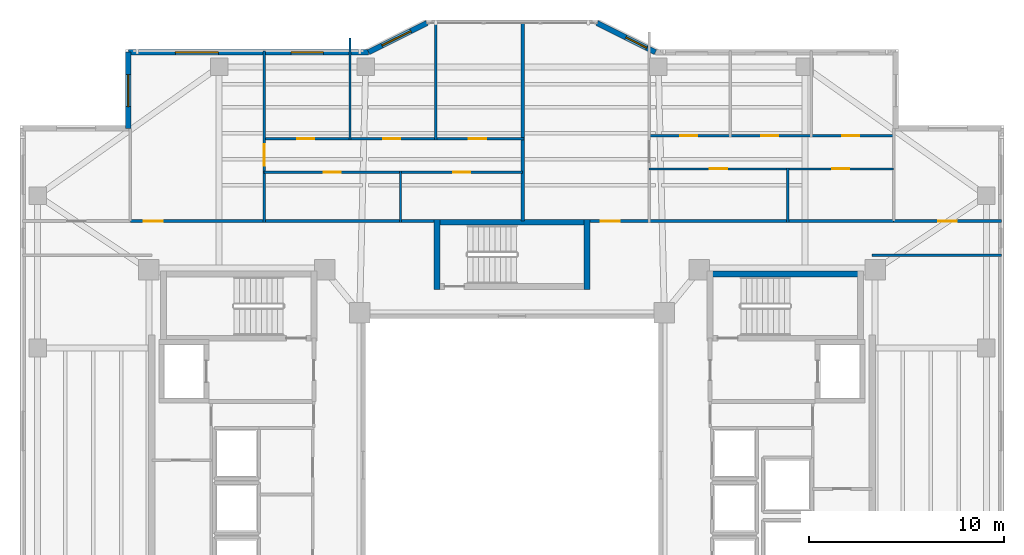
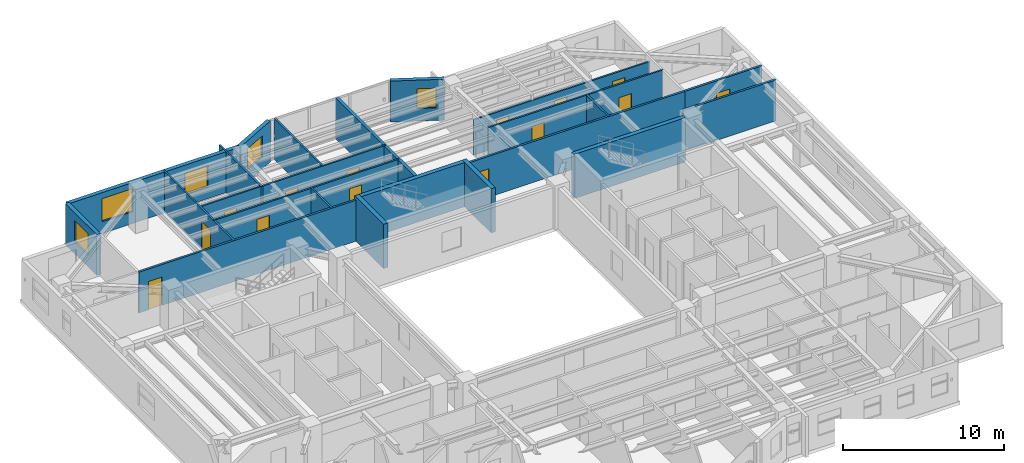
# One storey, part 10 of 16: 24 walls, 14 doors, 5 windows, 19 openings.
"""IFC4 building model written with IfcOpenShell, lengths in metres."""

from ifc_helpers import new_model, si_unit, direction, frame, frame_2d, origin, place, context, subcontext, project, spatial, rectangle, extrude, material, layer, layer_set, type_object, element, fill, save


model = new_model("IFC4")

# Units and contexts
model_context = context("Model", 3, precision=1e-05, world=origin(), true_north=direction((0.0, 1.0)))
body_context = subcontext(model_context, "Body", "Model", "MODEL_VIEW")
ifc_project = project(units=[si_unit("LENGTHUNIT", "METRE"), si_unit("AREAUNIT", "SQUARE_METRE"), si_unit("VOLUMEUNIT", "CUBIC_METRE"), si_unit("PLANEANGLEUNIT", "RADIAN"), si_unit("MASSUNIT", "GRAM", prefix="KILO")], contexts=[model_context])

# Site, building, storey
site_placement = place(None, origin())
site = spatial("IfcSite", under=ifc_project, at=site_placement, CompositionType="ELEMENT")
building_placement = place(site_placement, origin())
building = spatial("IfcBuilding", under=site, at=building_placement, Name="Tarnavaz Court Tower", CompositionType="ELEMENT")
storey_placement = place(building_placement, frame((0.0, 0.0, 146.0)))
storey = spatial("IfcBuildingStorey", under=building, at=storey_placement, Name="L39", CompositionType="ELEMENT", Elevation=146.0)

# Walls
ifc_material_1 = material(Name="Concrete C50/60", Category="concrete")
ifc_layer_1 = layer(ifc_material_1, 0.300048828125)
ifc_layer_set_1 = layer_set([ifc_layer_1], Name="Concrete C50/60")
wall_type_1 = type_object("IfcWallType", Name="WL-CORE-300-C50", PredefinedType="SHEAR", material=ifc_layer_set_1)
for number, where, z_axis, x_axis, name in (
    (1, (10.0, 9.7900390625, 0.0), (0.0, 0.0, 1.0), (1.0, 0.0, 0.0), "L39 East Stair Core Wall 005"),
    (2, (-4.0, 12.43994140625, 0.0), (0.0, 0.0, 1.0), (1.0, 0.0, 0.0), "L39 North Stair Core Wall 009"),
):
    element("IfcWall", number, at=place(storey_placement, frame(where, z_axis=z_axis, x_axis=x_axis)), inside=storey, type_object=wall_type_1, Name=name, PredefinedType="SHEAR", context=body_context, shape_type="SweptSolid", body=[
        extrude(rectangle(XDim=8.0, YDim=0.300048828125, at=frame_2d((4.0, 0.0))), origin(), (0.0, 0.0, 1.0), 3.35009765625),
    ])
for number, where, z_axis, x_axis, name in (
    (3, (-3.85009765625, 9.0, 0.0), (0.0, 0.0, 1.0), (0.0, 1.0, 0.0), "L39 North Stair Core Wall 011"),
    (4, (3.85009765625, 9.0, 0.0), (0.0, 0.0, 1.0), (0.0, 1.0, 0.0), "L39 North Stair Core Wall 012"),
):
    element("IfcWall", number, at=place(storey_placement, frame(where, z_axis=z_axis, x_axis=x_axis)), inside=storey, type_object=wall_type_1, Name=name, PredefinedType="SHEAR", context=body_context, shape_type="SweptSolid", body=[
        extrude(rectangle(XDim=3.590087890625, YDim=0.300048828125, at=frame_2d((1.794921875, 0.0))), origin(), (0.0, 0.0, 1.0), 3.35009765625),
    ])

# Wall, opening, window
ifc_material_2 = material(Name="Precast Concrete C40/50", Category="concrete")
ifc_layer_2 = layer(ifc_material_2, 0.280029296875)
ifc_layer_set_2 = layer_set([ifc_layer_2], Name="Precast Concrete C40/50")
wall_type_2 = type_object("IfcWallType", Name="WL-EXT-280", PredefinedType="SOLIDWALL", material=ifc_layer_set_2)
wall_1_placement = place(storey_placement, frame((-19.64990234375, 17.25, 0.0), z_axis=(0.0, 0.0, 1.0), x_axis=(0.0, 1.0, 0.0)))
wall_1 = element("IfcWall", 5, at=wall_1_placement, inside=storey, type_object=wall_type_2, Name="L39 Exterior Terracotta Facade Wall 04", PredefinedType="SOLIDWALL", context=body_context, shape_type="SweptSolid", body=[
    extrude(rectangle(XDim=3.89990234375, YDim=0.280029296875, at=frame_2d((1.949951171875, 0.0))), origin(), (0.0, 0.0, 1.0), 3.10009765625),
])
opening_1_placement = place(wall_1_placement, frame((1.107177734375, 0.0, 0.89990234375)))
opening_1 = element("IfcOpeningElement", 6, at=opening_1_placement, cuts=wall_1, Name="Opening W02", PredefinedType="OPENING", context=body_context, shape_type="SweptSolid", body=[
    extrude(rectangle(XDim=1.64990234375, YDim=1.60009765625, at=frame_2d((0.824951171875, 0.800048828125))), frame((0.0, 0.14990234375, 0.0), z_axis=(0.0, -1.0, 0.0), x_axis=(1.0, 0.0, 0.0)), (0.0, 0.0, 1.0), 0.300048828125),
])
ifc_material_3 = material(Name="Double-Glazed Solar Low-E Glass", Category="glass")
window_type_1 = type_object("IfcWindowType", Name="WN-APT-1650", PartitioningType="DOUBLE_PANEL_VERTICAL", PredefinedType="WINDOW", material=ifc_material_3)
window_1_placement = place(opening_1_placement, origin())
window_1 = element("IfcWindow", 7, at=window_1_placement, inside=storey, type_object=window_type_1, Name="L39 Flat 01 Living and Dining Room Window", OverallHeight=1.60009765625, OverallWidth=1.64990234375, PartitioningType="SINGLE_PANEL", PredefinedType="WINDOW", context=body_context, shape_type="SweptSolid", body=[
    extrude(rectangle(XDim=1.64990234375, YDim=1.60009765625, at=frame_2d((0.824951171875, 0.800048828125))), frame((0.0, 0.030029296875, 0.0), z_axis=(0.0, -1.0, 0.0), x_axis=(1.0, 0.0, 0.0)), (0.0, 0.0, 1.0), 0.06005859375),
])
fill(opening_1, window_1)

# Wall, openings, windows
wall_2_placement = place(storey_placement, frame((-19.64990234375, 21.14990234375, 0.0), z_axis=(0.0, 0.0, 1.0), x_axis=(1.0, 0.0, 0.0)))
wall_2 = element("IfcWall", 8, at=wall_2_placement, inside=storey, type_object=wall_type_2, Name="L39 Exterior Terracotta Facade Wall 05", PredefinedType="SOLIDWALL", context=body_context, shape_type="SweptSolid", body=[
    extrude(rectangle(XDim=12.2998046875, YDim=0.280029296875, at=frame_2d((6.14990234375, 0.0))), origin(), (0.0, 0.0, 1.0), 3.10009765625),
])
opening_2_placement = place(wall_2_placement, frame((2.414306640625, 0.0, 0.89990234375)))
opening_2 = element("IfcOpeningElement", 9, at=opening_2_placement, cuts=wall_2, Name="Opening W07", PredefinedType="OPENING", context=body_context, shape_type="SweptSolid", body=[
    extrude(rectangle(XDim=2.199951171875, YDim=1.75, at=frame_2d((1.10009765625, 0.875))), frame((0.0, 0.14990234375, 0.0), z_axis=(0.0, -1.0, 0.0), x_axis=(1.0, 0.0, 0.0)), (0.0, 0.0, 1.0), 0.300048828125),
])
opening_3_placement = place(wall_2_placement, frame((8.337158203125, 0.0, 0.89990234375)))
opening_3 = element("IfcOpeningElement", 10, at=opening_3_placement, cuts=wall_2, Name="Opening W02", PredefinedType="OPENING", context=body_context, shape_type="SweptSolid", body=[
    extrude(rectangle(XDim=1.64990234375, YDim=1.60009765625, at=frame_2d((0.824951171875, 0.800048828125))), frame((0.0, 0.14990234375, 0.0), z_axis=(0.0, -1.0, 0.0), x_axis=(1.0, 0.0, 0.0)), (0.0, 0.0, 1.0), 0.300048828125),
])
window_2_placement = place(opening_3_placement, origin())
window_2 = element("IfcWindow", 11, at=window_2_placement, inside=storey, type_object=window_type_1, Name="L39 Flat 01 Principal Bedroom Window", OverallHeight=1.60009765625, OverallWidth=1.64990234375, PartitioningType="SINGLE_PANEL", PredefinedType="WINDOW", context=body_context, shape_type="SweptSolid", body=[
    extrude(rectangle(XDim=1.64990234375, YDim=1.60009765625, at=frame_2d((0.824951171875, 0.800048828125))), frame((0.0, 0.030029296875, 0.0), z_axis=(0.0, -1.0, 0.0), x_axis=(1.0, 0.0, 0.0)), (0.0, 0.0, 1.0), 0.06005859375),
])
fill(opening_3, window_2)
window_type_2 = type_object("IfcWindowType", Name="WN-APT-2200", PartitioningType="TRIPLE_PANEL_VERTICAL", PredefinedType="WINDOW", material=ifc_material_3)
window_3_placement = place(opening_2_placement, origin())
window_3 = element("IfcWindow", 12, at=window_3_placement, inside=storey, type_object=window_type_2, Name="L39 Flat 01 Living and Dining Room Window", OverallHeight=1.75, OverallWidth=2.199951171875, PartitioningType="SINGLE_PANEL", PredefinedType="WINDOW", context=body_context, shape_type="SweptSolid", body=[
    extrude(rectangle(XDim=2.199951171875, YDim=1.75, at=frame_2d((1.10009765625, 0.875))), frame((0.0, 0.030029296875, 0.0), z_axis=(0.0, -1.0, 0.0), x_axis=(1.0, 0.0, 0.0)), (0.0, 0.0, 1.0), 0.06005859375),
])
fill(opening_2, window_3)

# Wall, opening, window
wall_3_placement = place(storey_placement, frame((-7.35009765625, 21.14990234375, 0.0), z_axis=(0.0, 0.0, 1.0), x_axis=(0.894427191, 0.4472135955, 0.0)))
wall_3 = element("IfcWall", 13, at=wall_3_placement, inside=storey, type_object=wall_type_2, Name="L39 Exterior Terracotta Facade Wall 06", PredefinedType="SOLIDWALL", context=body_context, shape_type="SweptSolid", body=[
    extrude(rectangle(XDim=3.35400390625, YDim=0.280029296875, at=frame_2d((1.677001953125, 0.0))), origin(), (0.0, 0.0, 1.0), 3.10009765625),
])
opening_4_placement = place(wall_3_placement, frame((0.77197265625, 0.0, 0.89990234375)))
opening_4 = element("IfcOpeningElement", 14, at=opening_4_placement, cuts=wall_3, Name="Opening W02", PredefinedType="OPENING", context=body_context, shape_type="SweptSolid", body=[
    extrude(rectangle(XDim=1.64990234375, YDim=1.60009765625, at=frame_2d((0.824951171875, 0.800048828125))), frame((0.0, 0.14990234375, 0.0), z_axis=(0.0, -1.0, 0.0), x_axis=(1.0, 0.0, 0.0)), (0.0, 0.0, 1.0), 0.300048828125),
])
window_4_placement = place(opening_4_placement, origin())
window_4 = element("IfcWindow", 15, at=window_4_placement, inside=storey, type_object=window_type_1, Name="L39 Flat 01 Bedroom 2 Window", OverallHeight=1.60009765625, OverallWidth=1.64990234375, PartitioningType="SINGLE_PANEL", PredefinedType="WINDOW", context=body_context, shape_type="SweptSolid", body=[
    extrude(rectangle(XDim=1.64990234375, YDim=1.60009765625, at=frame_2d((0.824951171875, 0.800048828125))), frame((0.0, 0.030029296875, 0.0), z_axis=(0.0, -1.0, 0.0), x_axis=(1.0, 0.0, 0.0)), (0.0, 0.0, 1.0), 0.06005859375),
])
fill(opening_4, window_4)

wall_4_placement = place(storey_placement, frame((4.35009765625, 22.64990234375, 0.0), z_axis=(0.0, 0.0, 1.0), x_axis=(0.894427191, -0.4472135955, 0.0)))
wall_4 = element("IfcWall", 16, at=wall_4_placement, inside=storey, type_object=wall_type_2, Name="L39 Exterior Terracotta Facade Wall 08", PredefinedType="SOLIDWALL", context=body_context, shape_type="SweptSolid", body=[
    extrude(rectangle(XDim=3.35400390625, YDim=0.280029296875, at=frame_2d((1.677001953125, 0.0))), origin(), (0.0, 0.0, 1.0), 3.10009765625),
])
opening_5_placement = place(wall_4_placement, frame((1.65283203125, 0.0, 0.949951171875)))
opening_5 = element("IfcOpeningElement", 17, at=opening_5_placement, cuts=wall_4, Name="Opening W05", PredefinedType="OPENING", context=body_context, shape_type="SweptSolid", body=[
    extrude(rectangle(XDim=1.199951171875, YDim=1.5, at=frame_2d((0.60009765625, 0.75))), frame((0.0, 0.14990234375, 0.0), z_axis=(0.0, -1.0, 0.0), x_axis=(1.0, 0.0, 0.0)), (0.0, 0.0, 1.0), 0.300048828125),
])
window_type_3 = type_object("IfcWindowType", Name="WN-APT-1200", PartitioningType="SINGLE_PANEL", PredefinedType="WINDOW", material=ifc_material_3)
window_5_placement = place(opening_5_placement, origin())
window_5 = element("IfcWindow", 18, at=window_5_placement, inside=storey, type_object=window_type_3, Name="L39 Flat 02 Living and Dining Room Window", OverallHeight=1.5, OverallWidth=1.199951171875, PartitioningType="SINGLE_PANEL", PredefinedType="WINDOW", context=body_context, shape_type="SweptSolid", body=[
    extrude(rectangle(XDim=1.199951171875, YDim=1.5, at=frame_2d((0.60009765625, 0.75))), frame((0.0, 0.030029296875, 0.0), z_axis=(0.0, -1.0, 0.0), x_axis=(1.0, 0.0, 0.0)), (0.0, 0.0, 1.0), 0.06005859375),
])
fill(opening_5, window_5)

# Wall, opening, door
ifc_material_4 = material(Name="Gypsum Fire-Board on Acoustic Metal Stud", Category="masonry")
ifc_layer_3 = layer(ifc_material_4, 0.14990234375)
ifc_layer_set_3 = layer_set([ifc_layer_3], Name="Gypsum Fire-Board on Acoustic Metal Stud")
wall_type_3 = type_object("IfcWallType", Name="WL-FIRE-150", PredefinedType="PARTITIONING", material=ifc_layer_set_3)
wall_5_placement = place(storey_placement, frame((-19.550048828125, 12.5, 0.0), z_axis=(0.0, 0.0, 1.0), x_axis=(1.0, 0.0, 0.0)))
wall_5 = element("IfcWall", 19, at=wall_5_placement, inside=storey, type_object=wall_type_3, Name="L39 NW Wing Corridor Wall 071", PredefinedType="PARTITIONING", context=body_context, shape_type="SweptSolid", body=[
    extrude(rectangle(XDim=15.699951171875, YDim=0.14990234375, at=frame_2d((7.85009765625, 0.0))), origin(), (0.0, 0.0, 1.0), 3.10009765625),
])
opening_6_placement = place(wall_5_placement, frame((0.699951171875, 0.0, 0.0)))
opening_6 = element("IfcOpeningElement", 20, at=opening_6_placement, cuts=wall_5, Name="Opening D06", PredefinedType="OPENING", context=body_context, shape_type="SweptSolid", body=[
    extrude(rectangle(XDim=0.9599609375, YDim=2.14990234375, at=frame_2d((0.47998046875, 1.074951171875))), frame((0.0, 0.0849609375, 0.0), z_axis=(0.0, -1.0, 0.0), x_axis=(1.0, 0.0, 0.0)), (0.0, 0.0, 1.0), 0.169921875),
])
ifc_material_5 = material(Name="Fire-Rated Hardwood Timber Core", Category="wood")
door_type_1 = type_object("IfcDoorType", Name="DR-FD60-950", OperationType="NOTDEFINED", PredefinedType="DOOR", material=ifc_material_5)
door_1_placement = place(opening_6_placement, origin())
door_1 = element("IfcDoor", 21, at=door_1_placement, inside=storey, type_object=door_type_1, Name="L39 Flat 01 Entrance Door", OperationType="SINGLE_SWING_LEFT", OverallHeight=2.14990234375, OverallWidth=0.9599609375, PredefinedType="DOOR", context=body_context, shape_type="SweptSolid", body=[
    extrude(rectangle(XDim=0.9599609375, YDim=2.14990234375, at=frame_2d((0.47998046875, 1.074951171875))), frame((0.0, 0.02490234375, 0.0), z_axis=(0.0, -1.0, 0.0), x_axis=(1.0, 0.0, 0.0)), (0.0, 0.0, 1.0), 0.050048828125),
])
fill(opening_6, door_1)

wall_6_placement = place(storey_placement, frame((3.85009765625, 12.5, 0.0), z_axis=(0.0, 0.0, 1.0), x_axis=(1.0, 0.0, 0.0)))
wall_6 = element("IfcWall", 22, at=wall_6_placement, inside=storey, type_object=wall_type_3, Name="L39 NE Wing Corridor Wall 072", PredefinedType="PARTITIONING", context=body_context, shape_type="SweptSolid", body=[
    extrude(rectangle(XDim=15.699951171875, YDim=0.14990234375, at=frame_2d((7.85009765625, 0.0))), origin(), (0.0, 0.0, 1.0), 3.10009765625),
])
opening_7_placement = place(wall_6_placement, frame((0.699951171875, 0.0, 0.0)))
opening_7 = element("IfcOpeningElement", 23, at=opening_7_placement, cuts=wall_6, Name="Opening D06", PredefinedType="OPENING", context=body_context, shape_type="SweptSolid", body=[
    extrude(rectangle(XDim=0.9599609375, YDim=2.14990234375, at=frame_2d((0.47998046875, 1.074951171875))), frame((0.0, 0.0849609375, 0.0), z_axis=(0.0, -1.0, 0.0), x_axis=(1.0, 0.0, 0.0)), (0.0, 0.0, 1.0), 0.169921875),
])
door_2_placement = place(opening_7_placement, origin())
door_2 = element("IfcDoor", 24, at=door_2_placement, inside=storey, type_object=door_type_1, Name="L39 Flat 02 Entrance Door", OperationType="SINGLE_SWING_RIGHT", OverallHeight=2.14990234375, OverallWidth=0.9599609375, PredefinedType="DOOR", context=body_context, shape_type="SweptSolid", body=[
    extrude(rectangle(XDim=0.9599609375, YDim=2.14990234375, at=frame_2d((0.47998046875, 1.074951171875))), frame((0.0, 0.02490234375, 0.0), z_axis=(0.0, -1.0, 0.0), x_axis=(1.0, 0.0, 0.0)), (0.0, 0.0, 1.0), 0.050048828125),
])
fill(opening_7, door_2)

# Wall
wall_7_placement = place(storey_placement, frame((18.449951171875, 10.75, 0.0), z_axis=(0.0, 0.0, 1.0), x_axis=(1.0, 0.0, 0.0)))
element("IfcWall", 25, at=wall_7_placement, inside=storey, type_object=wall_type_3, Name="L39 Interior Partition 117", PredefinedType="PARTITIONING", context=body_context, shape_type="SweptSolid", body=[
    extrude(rectangle(XDim=6.630126953125, YDim=0.14990234375, at=frame_2d((3.31494140625, 0.0))), origin(), (0.0, 0.0, 1.0), 3.10009765625),
])

# Wall, opening, door
wall_8_placement = place(storey_placement, frame((19.550048828125, 12.5, 0.0), z_axis=(0.0, 0.0, 1.0), x_axis=(1.0, 0.0, 0.0)))
wall_8 = element("IfcWall", 26, at=wall_8_placement, inside=storey, type_object=wall_type_3, Name="L39 Interior Partition 123", PredefinedType="PARTITIONING", context=body_context, shape_type="SweptSolid", body=[
    extrude(rectangle(XDim=5.530029296875, YDim=0.14990234375, at=frame_2d((2.76513671875, 0.0))), origin(), (0.0, 0.0, 1.0), 3.10009765625),
])
opening_8_placement = place(wall_8_placement, frame((2.2900390625, 0.0, 0.0)))
opening_8 = element("IfcOpeningElement", 27, at=opening_8_placement, cuts=wall_8, Name="Opening D13", PredefinedType="OPENING", context=body_context, shape_type="SweptSolid", body=[
    extrude(rectangle(XDim=0.949951171875, YDim=2.14990234375, at=frame_2d((0.47509765625, 1.074951171875))), frame((0.0, 0.0849609375, 0.0), z_axis=(0.0, -1.0, 0.0), x_axis=(1.0, 0.0, 0.0)), (0.0, 0.0, 1.0), 0.169921875),
])
ifc_material_6 = material(Name="Engineered Oak Timber", Category="wood")
door_type_2 = type_object("IfcDoorType", Name="DR-INT-950", OperationType="NOTDEFINED", PredefinedType="DOOR", material=ifc_material_6)
door_3_placement = place(opening_8_placement, origin())
door_3 = element("IfcDoor", 28, at=door_3_placement, inside=storey, type_object=door_type_2, Name="L39 NE Sunroom Door", OperationType="SINGLE_SWING_LEFT", OverallHeight=2.14990234375, OverallWidth=0.949951171875, PredefinedType="DOOR", context=body_context, shape_type="SweptSolid", body=[
    extrude(rectangle(XDim=0.949951171875, YDim=2.14990234375, at=frame_2d((0.47509765625, 1.074951171875))), frame((0.0, 0.02490234375, 0.0), z_axis=(0.0, -1.0, 0.0), x_axis=(1.0, 0.0, 0.0)), (0.0, 0.0, 1.0), 0.050048828125),
])
fill(opening_8, door_3)

# Wall
ifc_material_7 = material(Name="Autoclaved Aerated Concrete Blockwork", Category="masonry")
ifc_layer_4 = layer(ifc_material_7, 0.199951171875)
ifc_layer_set_4 = layer_set([ifc_layer_4], Name="Autoclaved Aerated Concrete Blockwork")
wall_type_4 = type_object("IfcWallType", Name="WL-FIRE-200", PredefinedType="SOLIDWALL", material=ifc_layer_set_4)
wall_9_placement = place(storey_placement, frame((0.550048828125, 12.5, 0.0), z_axis=(0.0, 0.0, 1.0), x_axis=(0.0, 1.0, 0.0)))
element("IfcWall", 29, at=wall_9_placement, inside=storey, type_object=wall_type_4, Name="L39 North Center Party Wall 075", PredefinedType="SOLIDWALL", context=body_context, shape_type="SweptSolid", body=[
    extrude(rectangle(XDim=10.179931640625, YDim=0.199951171875, at=frame_2d((5.08984375, 0.0))), origin(), (0.0, 0.0, 1.0), 3.10009765625),
])

# Wall, opening, door
ifc_material_8 = material(Name="Moisture-Resistant Gypsum Board Partition", Category="masonry")
ifc_layer_5 = layer(ifc_material_8, 0.1201171875)
ifc_layer_set_5 = layer_set([ifc_layer_5], Name="Moisture-Resistant Gypsum Board Partition")
wall_type_5 = type_object("IfcWallType", Name="WL-PART-120", PredefinedType="PARTITIONING", material=ifc_layer_set_5)
wall_10_placement = place(storey_placement, frame((-12.697021484375, 12.43994140625, 0.0), z_axis=(0.0, 0.0, 1.0), x_axis=(0.0, 1.0, 0.0)))
wall_10 = element("IfcWall", 30, at=wall_10_placement, inside=storey, type_object=wall_type_5, Name="L39 Interior Partition 076", PredefinedType="PARTITIONING", context=body_context, shape_type="SweptSolid", body=[
    extrude(rectangle(XDim=8.760009765625, YDim=0.1201171875, at=frame_2d((4.3798828125, 0.0))), origin(), (0.0, 0.0, 1.0), 3.10009765625),
])
opening_9_placement = place(wall_10_placement, frame((2.905029296875, 0.0, 0.0)))
opening_9 = element("IfcOpeningElement", 31, at=opening_9_placement, cuts=wall_10, Name="Opening D12", PredefinedType="OPENING", context=body_context, shape_type="SweptSolid", body=[
    extrude(rectangle(XDim=1.080078125, YDim=2.14990234375, at=frame_2d((0.5400390625, 1.074951171875))), frame((0.0, 0.070068359375, 0.0), z_axis=(0.0, -1.0, 0.0), x_axis=(1.0, 0.0, 0.0)), (0.0, 0.0, 1.0), 0.14013671875),
])
door_type_3 = type_object("IfcDoorType", Name="DR-INT-1100", OperationType="NOTDEFINED", PredefinedType="DOOR", material=ifc_material_6)
door_4_placement = place(opening_9_placement, origin())
door_4 = element("IfcDoor", 32, at=door_4_placement, inside=storey, type_object=door_type_3, Name="L39 Flat 01 Foyer Door", OperationType="SINGLE_SWING_RIGHT", OverallHeight=2.14990234375, OverallWidth=1.080078125, PredefinedType="DOOR", context=body_context, shape_type="SweptSolid", body=[
    extrude(rectangle(XDim=1.080078125, YDim=2.14990234375, at=frame_2d((0.5400390625, 1.074951171875))), frame((0.0, 0.02490234375, 0.0), z_axis=(0.0, -1.0, 0.0), x_axis=(1.0, 0.0, 0.0)), (0.0, 0.0, 1.0), 0.050048828125),
])
fill(opening_9, door_4)

wall_11_placement = place(storey_placement, frame((-12.697021484375, 15.0, 0.0), z_axis=(0.0, 0.0, 1.0), x_axis=(1.0, 0.0, 0.0)))
wall_11 = element("IfcWall", 33, at=wall_11_placement, inside=storey, type_object=wall_type_5, Name="L39 Interior Partition 077", PredefinedType="PARTITIONING", context=body_context, shape_type="SweptSolid", body=[
    extrude(rectangle(XDim=6.989013671875, YDim=0.1201171875, at=frame_2d((3.49462890625, 0.0))), origin(), (0.0, 0.0, 1.0), 3.10009765625),
])
opening_10_placement = place(wall_11_placement, frame((3.053955078125, 0.0, 0.0)))
opening_10 = element("IfcOpeningElement", 34, at=opening_10_placement, cuts=wall_11, Name="Opening D14", PredefinedType="OPENING", context=body_context, shape_type="SweptSolid", body=[
    extrude(rectangle(XDim=0.8798828125, YDim=2.10009765625, at=frame_2d((0.43994140625, 1.050048828125))), frame((0.0, 0.070068359375, 0.0), z_axis=(0.0, -1.0, 0.0), x_axis=(1.0, 0.0, 0.0)), (0.0, 0.0, 1.0), 0.14013671875),
])
door_type_4 = type_object("IfcDoorType", Name="DR-INT-900", OperationType="NOTDEFINED", PredefinedType="DOOR", material=ifc_material_6)
door_5_placement = place(opening_10_placement, origin())
door_5 = element("IfcDoor", 35, at=door_5_placement, inside=storey, type_object=door_type_4, Name="L39 Flat 01 Kitchen Door", OperationType="SINGLE_SWING_LEFT", OverallHeight=2.10009765625, OverallWidth=0.8798828125, PredefinedType="DOOR", context=body_context, shape_type="SweptSolid", body=[
    extrude(rectangle(XDim=0.8798828125, YDim=2.10009765625, at=frame_2d((0.43994140625, 1.050048828125))), frame((0.0, 0.02490234375, 0.0), z_axis=(0.0, -1.0, 0.0), x_axis=(1.0, 0.0, 0.0)), (0.0, 0.0, 1.0), 0.050048828125),
])
fill(opening_10, door_5)

wall_12_placement = place(storey_placement, frame((-5.7080078125, 15.0, 0.0), z_axis=(0.0, 0.0, 1.0), x_axis=(1.0, 0.0, 0.0)))
wall_12 = element("IfcWall", 36, at=wall_12_placement, inside=storey, type_object=wall_type_5, Name="L39 Interior Partition 078", PredefinedType="PARTITIONING", context=body_context, shape_type="SweptSolid", body=[
    extrude(rectangle(XDim=6.258056640625, YDim=0.1201171875, at=frame_2d((3.12890625, 0.0))), origin(), (0.0, 0.0, 1.0), 3.10009765625),
])
opening_11_placement = place(wall_12_placement, frame((2.68896484375, 0.0, 0.0)))
opening_11 = element("IfcOpeningElement", 37, at=opening_11_placement, cuts=wall_12, Name="Opening D14", PredefinedType="OPENING", context=body_context, shape_type="SweptSolid", body=[
    extrude(rectangle(XDim=0.8798828125, YDim=2.10009765625, at=frame_2d((0.43994140625, 1.050048828125))), frame((0.0, 0.070068359375, 0.0), z_axis=(0.0, -1.0, 0.0), x_axis=(1.0, 0.0, 0.0)), (0.0, 0.0, 1.0), 0.14013671875),
])
door_6_placement = place(opening_11_placement, origin())
door_6 = element("IfcDoor", 38, at=door_6_placement, inside=storey, type_object=door_type_4, Name="L39 Flat 01 Bathroom Door", OperationType="SINGLE_SWING_RIGHT", OverallHeight=2.10009765625, OverallWidth=0.8798828125, PredefinedType="DOOR", context=body_context, shape_type="SweptSolid", body=[
    extrude(rectangle(XDim=0.8798828125, YDim=2.10009765625, at=frame_2d((0.43994140625, 1.050048828125))), frame((0.0, 0.02490234375, 0.0), z_axis=(0.0, -1.0, 0.0), x_axis=(1.0, 0.0, 0.0)), (0.0, 0.0, 1.0), 0.050048828125),
])
fill(opening_11, door_6)

# Wall, openings, doors
wall_13_placement = place(storey_placement, frame((-12.757080078125, 16.7099609375, 0.0), z_axis=(0.0, 0.0, 1.0), x_axis=(1.0, 0.0, 0.0)))
wall_13 = element("IfcWall", 39, at=wall_13_placement, inside=storey, type_object=wall_type_5, Name="L39 Interior Partition 079", PredefinedType="PARTITIONING", context=body_context, shape_type="SweptSolid", body=[
    extrude(rectangle(XDim=13.3671875, YDim=0.1201171875, at=frame_2d((6.68359375, 0.0))), origin(), (0.0, 0.0, 1.0), 3.10009765625),
])
opening_12_placement = place(wall_13_placement, frame((1.758056640625, 0.0, 0.0)))
opening_12 = element("IfcOpeningElement", 40, at=opening_12_placement, cuts=wall_13, Name="Opening D14", PredefinedType="OPENING", context=body_context, shape_type="SweptSolid", body=[
    extrude(rectangle(XDim=0.8798828125, YDim=2.10009765625, at=frame_2d((0.43994140625, 1.050048828125))), frame((0.0, 0.070068359375, 0.0), z_axis=(0.0, -1.0, 0.0), x_axis=(1.0, 0.0, 0.0)), (0.0, 0.0, 1.0), 0.14013671875),
])
opening_13_placement = place(wall_13_placement, frame((6.153076171875, 0.0, 0.0)))
opening_13 = element("IfcOpeningElement", 41, at=opening_13_placement, cuts=wall_13, Name="Opening D14", PredefinedType="OPENING", context=body_context, shape_type="SweptSolid", body=[
    extrude(rectangle(XDim=0.8798828125, YDim=2.10009765625, at=frame_2d((0.43994140625, 1.050048828125))), frame((0.0, 0.070068359375, 0.0), z_axis=(0.0, -1.0, 0.0), x_axis=(1.0, 0.0, 0.0)), (0.0, 0.0, 1.0), 0.14013671875),
])
opening_14_placement = place(wall_13_placement, frame((10.549072265625, 0.0, 0.0)))
opening_14 = element("IfcOpeningElement", 42, at=opening_14_placement, cuts=wall_13, Name="Opening D14", PredefinedType="OPENING", context=body_context, shape_type="SweptSolid", body=[
    extrude(rectangle(XDim=0.8798828125, YDim=2.10009765625, at=frame_2d((0.43994140625, 1.050048828125))), frame((0.0, 0.070068359375, 0.0), z_axis=(0.0, -1.0, 0.0), x_axis=(1.0, 0.0, 0.0)), (0.0, 0.0, 1.0), 0.14013671875),
])
door_7_placement = place(opening_12_placement, origin())
door_7 = element("IfcDoor", 43, at=door_7_placement, inside=storey, type_object=door_type_4, Name="L39 Flat 01 Bedroom 1 Door", OperationType="SINGLE_SWING_LEFT", OverallHeight=2.10009765625, OverallWidth=0.8798828125, PredefinedType="DOOR", context=body_context, shape_type="SweptSolid", body=[
    extrude(rectangle(XDim=0.8798828125, YDim=2.10009765625, at=frame_2d((0.43994140625, 1.050048828125))), frame((0.0, 0.02490234375, 0.0), z_axis=(0.0, -1.0, 0.0), x_axis=(1.0, 0.0, 0.0)), (0.0, 0.0, 1.0), 0.050048828125),
])
fill(opening_12, door_7)
door_8_placement = place(opening_13_placement, origin())
door_8 = element("IfcDoor", 44, at=door_8_placement, inside=storey, type_object=door_type_4, Name="L39 Flat 01 Bedroom 2 Door", OperationType="SINGLE_SWING_RIGHT", OverallHeight=2.10009765625, OverallWidth=0.8798828125, PredefinedType="DOOR", context=body_context, shape_type="SweptSolid", body=[
    extrude(rectangle(XDim=0.8798828125, YDim=2.10009765625, at=frame_2d((0.43994140625, 1.050048828125))), frame((0.0, 0.02490234375, 0.0), z_axis=(0.0, -1.0, 0.0), x_axis=(1.0, 0.0, 0.0)), (0.0, 0.0, 1.0), 0.050048828125),
])
fill(opening_13, door_8)
door_9_placement = place(opening_14_placement, origin())
door_9 = element("IfcDoor", 45, at=door_9_placement, inside=storey, type_object=door_type_4, Name="L39 Flat 01 Bedroom 3 Door", OperationType="SINGLE_SWING_LEFT", OverallHeight=2.10009765625, OverallWidth=0.8798828125, PredefinedType="DOOR", context=body_context, shape_type="SweptSolid", body=[
    extrude(rectangle(XDim=0.8798828125, YDim=2.10009765625, at=frame_2d((0.43994140625, 1.050048828125))), frame((0.0, 0.02490234375, 0.0), z_axis=(0.0, -1.0, 0.0), x_axis=(1.0, 0.0, 0.0)), (0.0, 0.0, 1.0), 0.050048828125),
])
fill(opening_14, door_9)

# Walls
wall_14_placement = place(storey_placement, frame((-5.7080078125, 12.43994140625, 0.0), z_axis=(0.0, 0.0, 1.0), x_axis=(0.0, 1.0, 0.0)))
element("IfcWall", 46, at=wall_14_placement, inside=storey, type_object=wall_type_5, Name="L39 Interior Partition 080", PredefinedType="PARTITIONING", context=body_context, shape_type="SweptSolid", body=[
    extrude(rectangle(XDim=2.6201171875, YDim=0.1201171875, at=frame_2d((1.31005859375, 0.0))), origin(), (0.0, 0.0, 1.0), 3.10009765625),
])
wall_15_placement = place(storey_placement, frame((-8.301025390625, 16.64990234375, 0.0), z_axis=(0.0, 0.0, 1.0), x_axis=(0.0, 1.0, 0.0)))
element("IfcWall", 47, at=wall_15_placement, inside=storey, type_object=wall_type_5, Name="L39 Interior Partition 081", PredefinedType="PARTITIONING", context=body_context, shape_type="SweptSolid", body=[
    extrude(rectangle(XDim=5.216064453125, YDim=0.1201171875, at=frame_2d((2.60791015625, 0.0))), origin(), (0.0, 0.0, 1.0), 3.10009765625),
])
wall_16_placement = place(storey_placement, frame((-3.906005859375, 16.64990234375, 0.0), z_axis=(0.0, 0.0, 1.0), x_axis=(0.0, 1.0, 0.0)))
element("IfcWall", 48, at=wall_16_placement, inside=storey, type_object=wall_type_5, Name="L39 Interior Partition 082", PredefinedType="PARTITIONING", context=body_context, shape_type="SweptSolid", body=[
    extrude(rectangle(XDim=6.030029296875, YDim=0.1201171875, at=frame_2d((3.01513671875, 0.0))), origin(), (0.0, 0.0, 1.0), 3.10009765625),
])

# Wall, opening, door
wall_17_placement = place(storey_placement, frame((7.029052734375, 15.169921875, 0.0), z_axis=(0.0, 0.0, 1.0), x_axis=(1.0, 0.0, 0.0)))
wall_17 = element("IfcWall", 49, at=wall_17_placement, inside=storey, type_object=wall_type_5, Name="L39 Interior Partition 084", PredefinedType="PARTITIONING", context=body_context, shape_type="SweptSolid", body=[
    extrude(rectangle(XDim=7.10302734375, YDim=0.1201171875, at=frame_2d((3.551513671875, 0.0))), origin(), (0.0, 0.0, 1.0), 3.10009765625),
])
opening_15_placement = place(wall_17_placement, frame((3.111083984375, 0.0, 0.0)))
opening_15 = element("IfcOpeningElement", 50, at=opening_15_placement, cuts=wall_17, Name="Opening D14", PredefinedType="OPENING", context=body_context, shape_type="SweptSolid", body=[
    extrude(rectangle(XDim=0.8798828125, YDim=2.10009765625, at=frame_2d((0.43994140625, 1.050048828125))), frame((0.0, 0.070068359375, 0.0), z_axis=(0.0, -1.0, 0.0), x_axis=(1.0, 0.0, 0.0)), (0.0, 0.0, 1.0), 0.14013671875),
])
door_10_placement = place(opening_15_placement, origin())
door_10 = element("IfcDoor", 51, at=door_10_placement, inside=storey, type_object=door_type_4, Name="L39 Flat 02 Kitchen Door", OperationType="SINGLE_SWING_RIGHT", OverallHeight=2.10009765625, OverallWidth=0.8798828125, PredefinedType="DOOR", context=body_context, shape_type="SweptSolid", body=[
    extrude(rectangle(XDim=0.8798828125, YDim=2.10009765625, at=frame_2d((0.43994140625, 1.050048828125))), frame((0.0, 0.02490234375, 0.0), z_axis=(0.0, -1.0, 0.0), x_axis=(1.0, 0.0, 0.0)), (0.0, 0.0, 1.0), 0.050048828125),
])
fill(opening_15, door_10)

wall_18_placement = place(storey_placement, frame((14.132080078125, 15.169921875, 0.0), z_axis=(0.0, 0.0, 1.0), x_axis=(1.0, 0.0, 0.0)))
wall_18 = element("IfcWall", 52, at=wall_18_placement, inside=storey, type_object=wall_type_5, Name="L39 Interior Partition 085", PredefinedType="PARTITIONING", context=body_context, shape_type="SweptSolid", body=[
    extrude(rectangle(XDim=5.41796875, YDim=0.1201171875, at=frame_2d((2.708984375, 0.0))), origin(), (0.0, 0.0, 1.0), 3.10009765625),
])
opening_16_placement = place(wall_18_placement, frame((2.26904296875, 0.0, 0.0)))
opening_16 = element("IfcOpeningElement", 53, at=opening_16_placement, cuts=wall_18, Name="Opening D14", PredefinedType="OPENING", context=body_context, shape_type="SweptSolid", body=[
    extrude(rectangle(XDim=0.8798828125, YDim=2.10009765625, at=frame_2d((0.43994140625, 1.050048828125))), frame((0.0, 0.070068359375, 0.0), z_axis=(0.0, -1.0, 0.0), x_axis=(1.0, 0.0, 0.0)), (0.0, 0.0, 1.0), 0.14013671875),
])
door_11_placement = place(opening_16_placement, origin())
door_11 = element("IfcDoor", 54, at=door_11_placement, inside=storey, type_object=door_type_4, Name="L39 Flat 02 Bathroom Door", OperationType="SINGLE_SWING_LEFT", OverallHeight=2.10009765625, OverallWidth=0.8798828125, PredefinedType="DOOR", context=body_context, shape_type="SweptSolid", body=[
    extrude(rectangle(XDim=0.8798828125, YDim=2.10009765625, at=frame_2d((0.43994140625, 1.050048828125))), frame((0.0, 0.02490234375, 0.0), z_axis=(0.0, -1.0, 0.0), x_axis=(1.0, 0.0, 0.0)), (0.0, 0.0, 1.0), 0.050048828125),
])
fill(opening_16, door_11)

# Wall, openings, doors
wall_19_placement = place(storey_placement, frame((6.968994140625, 16.8798828125, 0.0), z_axis=(0.0, 0.0, 1.0), x_axis=(1.0, 0.0, 0.0)))
wall_19 = element("IfcWall", 55, at=wall_19_placement, inside=storey, type_object=wall_type_5, Name="L39 Interior Partition 086", PredefinedType="PARTITIONING", context=body_context, shape_type="SweptSolid", body=[
    extrude(rectangle(XDim=12.64111328125, YDim=0.1201171875, at=frame_2d((6.320556640625, 0.0))), origin(), (0.0, 0.0, 1.0), 2.68505859375),
])
opening_17_placement = place(wall_19_placement, frame((1.636962890625, 0.0, 0.0)))
opening_17 = element("IfcOpeningElement", 56, at=opening_17_placement, cuts=wall_19, Name="Opening D14", PredefinedType="OPENING", context=body_context, shape_type="SweptSolid", body=[
    extrude(rectangle(XDim=0.8798828125, YDim=2.10009765625, at=frame_2d((0.43994140625, 1.050048828125))), frame((0.0, 0.070068359375, 0.0), z_axis=(0.0, -1.0, 0.0), x_axis=(1.0, 0.0, 0.0)), (0.0, 0.0, 1.0), 0.14013671875),
])
opening_18_placement = place(wall_19_placement, frame((5.791015625, 0.0, 0.0)))
opening_18 = element("IfcOpeningElement", 57, at=opening_18_placement, cuts=wall_19, Name="Opening D14", PredefinedType="OPENING", context=body_context, shape_type="SweptSolid", body=[
    extrude(rectangle(XDim=0.8798828125, YDim=2.10009765625, at=frame_2d((0.43994140625, 1.050048828125))), frame((0.0, 0.070068359375, 0.0), z_axis=(0.0, -1.0, 0.0), x_axis=(1.0, 0.0, 0.0)), (0.0, 0.0, 1.0), 0.14013671875),
])
opening_19_placement = place(wall_19_placement, frame((9.944091796875, 0.0, 0.0)))
opening_19 = element("IfcOpeningElement", 58, at=opening_19_placement, cuts=wall_19, Name="Opening D14", PredefinedType="OPENING", context=body_context, shape_type="SweptSolid", body=[
    extrude(rectangle(XDim=0.8798828125, YDim=2.10009765625, at=frame_2d((0.43994140625, 1.050048828125))), frame((0.0, 0.070068359375, 0.0), z_axis=(0.0, -1.0, 0.0), x_axis=(1.0, 0.0, 0.0)), (0.0, 0.0, 1.0), 0.14013671875),
])
door_12_placement = place(opening_17_placement, origin())
door_12 = element("IfcDoor", 59, at=door_12_placement, inside=storey, type_object=door_type_4, Name="L39 Flat 02 Bedroom 1 Door", OperationType="SINGLE_SWING_RIGHT", OverallHeight=2.10009765625, OverallWidth=0.8798828125, PredefinedType="DOOR", context=body_context, shape_type="SweptSolid", body=[
    extrude(rectangle(XDim=0.8798828125, YDim=2.10009765625, at=frame_2d((0.43994140625, 1.050048828125))), frame((0.0, 0.02490234375, 0.0), z_axis=(0.0, -1.0, 0.0), x_axis=(1.0, 0.0, 0.0)), (0.0, 0.0, 1.0), 0.050048828125),
])
fill(opening_17, door_12)
door_13_placement = place(opening_18_placement, origin())
door_13 = element("IfcDoor", 60, at=door_13_placement, inside=storey, type_object=door_type_4, Name="L39 Flat 02 Bedroom 2 Door", OperationType="SINGLE_SWING_LEFT", OverallHeight=2.10009765625, OverallWidth=0.8798828125, PredefinedType="DOOR", context=body_context, shape_type="SweptSolid", body=[
    extrude(rectangle(XDim=0.8798828125, YDim=2.10009765625, at=frame_2d((0.43994140625, 1.050048828125))), frame((0.0, 0.02490234375, 0.0), z_axis=(0.0, -1.0, 0.0), x_axis=(1.0, 0.0, 0.0)), (0.0, 0.0, 1.0), 0.050048828125),
])
fill(opening_18, door_13)
door_14_placement = place(opening_19_placement, origin())
door_14 = element("IfcDoor", 61, at=door_14_placement, inside=storey, type_object=door_type_4, Name="L39 Flat 02 Bedroom 3 Door", OperationType="SINGLE_SWING_RIGHT", OverallHeight=2.10009765625, OverallWidth=0.8798828125, PredefinedType="DOOR", context=body_context, shape_type="SweptSolid", body=[
    extrude(rectangle(XDim=0.8798828125, YDim=2.10009765625, at=frame_2d((0.43994140625, 1.050048828125))), frame((0.0, 0.02490234375, 0.0), z_axis=(0.0, -1.0, 0.0), x_axis=(1.0, 0.0, 0.0)), (0.0, 0.0, 1.0), 0.050048828125),
])
fill(opening_19, door_14)

# Wall
wall_20_placement = place(storey_placement, frame((14.132080078125, 12.43994140625, 0.0), z_axis=(0.0, 0.0, 1.0), x_axis=(0.0, 1.0, 0.0)))
element("IfcWall", 62, at=wall_20_placement, inside=storey, type_object=wall_type_5, Name="L39 Interior Partition 087", PredefinedType="PARTITIONING", context=body_context, shape_type="SweptSolid", body=[
    extrude(rectangle(XDim=2.7900390625, YDim=0.1201171875, at=frame_2d((1.39501953125, 0.0))), origin(), (0.0, 0.0, 1.0), 3.10009765625),
])

save(model, "model.ifc")
